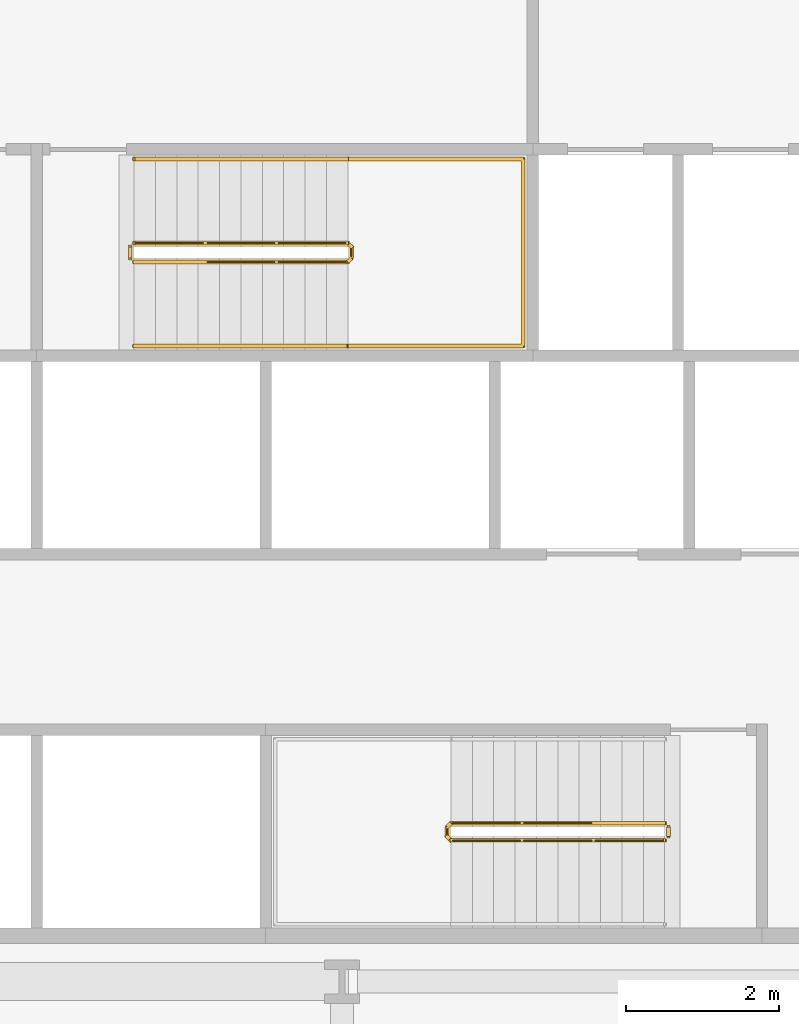
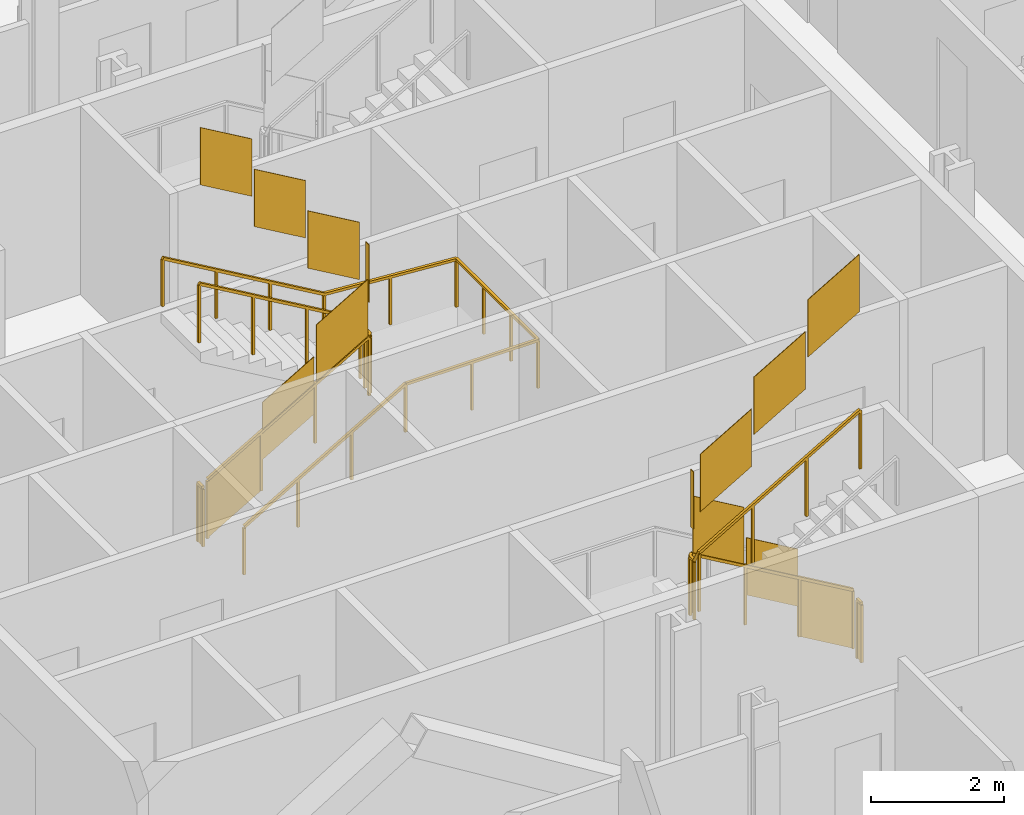
# One storey, part 17 of 20: 5 railings.
"""IFC4 building model written with IfcOpenShell, lengths in metres."""

from ifc_helpers import new_model, si_unit, direction, frame, origin, origin_2d, place, context, subcontext, project, spatial, polyline, rectangle, outline, extrude, material, type_object, element, save


model = new_model("IFC4")

# Units and contexts
model_context = context("Model", 3, precision=1e-05, world=origin(), true_north=direction((0.0, 1.0)))
body_context = subcontext(model_context, "Body", "Model", "MODEL_VIEW")
ifc_project = project(units=[si_unit("LENGTHUNIT", "METRE"), si_unit("AREAUNIT", "SQUARE_METRE"), si_unit("VOLUMEUNIT", "CUBIC_METRE"), si_unit("PLANEANGLEUNIT", "RADIAN"), si_unit("MASSUNIT", "GRAM", prefix="KILO")], contexts=[model_context])

# Site, building, storey
site_placement = place(None, origin())
site = spatial("IfcSite", under=ifc_project, at=site_placement, CompositionType="ELEMENT")
building_placement = place(site_placement, origin())
building = spatial("IfcBuilding", under=site, at=building_placement, Name="Cairn Pilgrim Tower", CompositionType="ELEMENT")
storey_placement = place(building_placement, frame((0.0, 0.0, 61.800048828125)))
storey = spatial("IfcBuildingStorey", under=building, at=storey_placement, Name="L13", CompositionType="ELEMENT", Elevation=61.800048828125)

# Railings
ifc_material = material(Name="Painted steel", Category="steel")
railing_type_1 = type_object("IfcRailingType", Name="STAIR GUARD 1100", PredefinedType="GUARDRAIL", material=ifc_material)
railing_1_placement = place(storey_placement, frame((11.425048828125, -3.925048828125, 0.16357421875)))
element("IfcRailing", 1, at=railing_1_placement, inside=storey, type_object=railing_type_1, Name="L13 ST-A stair guard 1", PredefinedType="GUARDRAIL", context=body_context, shape_type="SweptSolid", body=[
    extrude(rectangle(XDim=0.048095703125, YDim=0.048095703125, at=origin_2d()), frame((0.0, 0.0, 1.076171875), z_axis=(-0.863360870873, 0.0, 0.504586966384), x_axis=(0.0, -1.0, 0.0)), (0.0, 0.0, 1.0), 3.2431640625),
    extrude(rectangle(XDim=0.048095703125, YDim=0.048095703125, at=origin_2d()), frame((-2.800048828125, 0.0, 2.71240234375), z_axis=(-0.707106781187, -0.707106781187, 0.0), x_axis=(0.707106781187, -0.707106781187, 0.0)), (0.0, 0.0, 1.0), 0.07080078125),
    extrude(rectangle(XDim=0.048095703125, YDim=0.048095703125, at=origin_2d()), frame((-2.85009765625, -0.050048828125, 2.71240234375), z_axis=(0.0, -1.0, 0.0), x_axis=(1.0, 0.0, 0.0)), (0.0, 0.0, 1.0), 0.125),
    extrude(rectangle(XDim=0.048095703125, YDim=0.048095703125, at=origin_2d()), frame((-2.85009765625, -0.175048828125, 2.71240234375), z_axis=(0.280916556609, -0.279546231943, 0.91811752648), x_axis=(0.705375805398, 0.708833529934, 0.0)), (0.0, 0.0, 1.0), 0.17822265625),
    extrude(rectangle(XDim=0.048095703125, YDim=0.048095703125, at=origin_2d()), frame((-2.800048828125, -0.224853515625, 2.8759765625), z_axis=(0.863393664356, 0.0, 0.504530851732), x_axis=(0.0, 1.0, 0.0)), (0.0, 0.0, 1.0), 3.2431640625),
    extrude(rectangle(XDim=0.0419921875, YDim=0.0419921875, at=origin_2d()), origin(), (0.0, 0.0, 1.0), 1.052001953125),
    extrude(rectangle(XDim=0.0419921875, YDim=0.0419921875, at=origin_2d()), frame((-0.933349609375, 0.0, 0.54541015625)), (0.0, 0.0, 1.0), 1.052001953125),
    extrude(rectangle(XDim=0.0419921875, YDim=0.0419921875, at=origin_2d()), frame((-1.86669921875, 0.0, 1.091064453125)), (0.0, 0.0, 1.0), 1.052001953125),
    extrude(rectangle(XDim=0.0419921875, YDim=0.0419921875, at=origin_2d()), frame((-2.800048828125, 0.0, 1.636474609375)), (0.0, 0.0, 1.0), 1.052001953125),
    extrude(rectangle(XDim=0.0419921875, YDim=0.0419921875, at=origin_2d()), frame((-2.85009765625, -0.050048828125, 1.636474609375)), (0.0, 0.0, 1.0), 1.052001953125),
    extrude(rectangle(XDim=0.0419921875, YDim=0.0419921875, at=origin_2d()), frame((-2.85009765625, -0.175048828125, 1.636474609375)), (0.0, 0.0, 1.0), 1.052001953125),
    extrude(rectangle(XDim=0.0419921875, YDim=0.0419921875, at=origin_2d()), frame((-2.800048828125, -0.224853515625, 1.800048828125)), (0.0, 0.0, 1.0), 1.052001953125),
    extrude(rectangle(XDim=0.0419921875, YDim=0.0419921875, at=origin_2d()), frame((-1.86669921875, -0.224853515625, 2.345458984375)), (0.0, 0.0, 1.0), 1.052001953125),
    extrude(rectangle(XDim=0.0419921875, YDim=0.0419921875, at=origin_2d()), frame((-0.933349609375, -0.224853515625, 2.890869140625)), (0.0, 0.0, 1.0), 1.052001953125),
    extrude(rectangle(XDim=0.0419921875, YDim=0.0419921875, at=origin_2d()), frame((0.0, -0.224853515625, 3.436279296875)), (0.0, 0.0, 1.0), 1.052001953125),
    extrude(outline(polyline([(0.02099609375, 0.01220703125), (0.912353515625, 0.533203125), (0.912353515625, 1.585205078125), (0.02099609375, 1.064208984375), (0.02099609375, 0.01220703125)])), frame((0.0, -0.005859375, 0.0), z_axis=(0.0, 1.0, 0.0), x_axis=(-1.0, 0.0, 0.0)), (0.0, 0.0, 1.0), 0.011962890625),
    extrude(outline(polyline([(0.02099609375, 0.557861328125), (0.912353515625, 1.07861328125), (0.912353515625, 2.130615234375), (0.02099609375, 1.60986328125), (0.02099609375, 0.557861328125)])), frame((-0.933349609375, -0.005859375, 0.54541015625), z_axis=(0.0, 1.0, 0.0), x_axis=(-1.0, 0.0, 0.0)), (0.0, 0.0, 1.0), 0.011962890625),
    extrude(outline(polyline([(0.02099609375, 1.103271484375), (0.912353515625, 1.624267578125), (0.912353515625, 2.67626953125), (0.02099609375, 2.1552734375), (0.02099609375, 1.103271484375)])), frame((-1.86669921875, -0.005859375, 1.091064453125), z_axis=(0.0, 1.0, 0.0), x_axis=(-1.0, 0.0, 0.0)), (0.0, 0.0, 1.0), 0.011962890625),
    extrude(outline(polyline([(0.02099609375, 1.636474609375), (0.10400390625, 1.636474609375), (0.10400390625, 2.6884765625), (0.02099609375, 2.6884765625), (0.02099609375, 1.636474609375)])), frame((-2.84423828125, -0.050048828125, 1.636474609375), z_axis=(-1.0, 0.0, 0.0), x_axis=(0.0, -1.0, 0.0)), (0.0, 0.0, 1.0), 0.011962890625),
    extrude(outline(polyline([(0.02099609375, 1.812255859375), (0.912353515625, 2.333251953125), (0.912353515625, 3.38525390625), (0.02099609375, 2.8642578125), (0.02099609375, 1.812255859375)])), frame((-2.800048828125, -0.21875, 1.800048828125), z_axis=(0.0, -1.0, 0.0), x_axis=(1.0, 0.0, 0.0)), (0.0, 0.0, 1.0), 0.011962890625),
    extrude(outline(polyline([(0.02099609375, 2.357666015625), (0.912353515625, 2.878662109375), (0.912353515625, 3.9306640625), (0.02099609375, 3.40966796875), (0.02099609375, 2.357666015625)])), frame((-1.86669921875, -0.21875, 2.345458984375), z_axis=(0.0, -1.0, 0.0), x_axis=(1.0, 0.0, 0.0)), (0.0, 0.0, 1.0), 0.011962890625),
    extrude(outline(polyline([(0.02099609375, 2.903076171875), (0.912353515625, 3.424072265625), (0.912353515625, 4.47607421875), (0.02099609375, 3.955078125), (0.02099609375, 2.903076171875)])), frame((-0.933349609375, -0.21875, 2.890869140625), z_axis=(0.0, -1.0, 0.0), x_axis=(1.0, 0.0, 0.0)), (0.0, 0.0, 1.0), 0.011962890625),
])
railing_2_placement = place(storey_placement, frame((11.47509765625, -3.97509765625, 0.0)))
element("IfcRailing", 2, at=railing_2_placement, inside=storey, type_object=railing_type_1, Name="L13 ST-A stair guard 2", PredefinedType="GUARDRAIL", context=body_context, shape_type="SweptSolid", body=[
    extrude(rectangle(XDim=0.048095703125, YDim=0.048095703125, at=origin_2d()), frame((0.0, 0.0, 1.076171875), z_axis=(0.0, -1.0, 0.0), x_axis=(1.0, 0.0, 0.0)), (0.0, 0.0, 1.0), 0.125),
    extrude(rectangle(XDim=0.0419921875, YDim=0.0419921875, at=origin_2d()), origin(), (0.0, 0.0, 1.0), 1.052001953125),
    extrude(rectangle(XDim=0.0419921875, YDim=0.0419921875, at=origin_2d()), frame((0.0, -0.125, 0.0)), (0.0, 0.0, 1.0), 1.052001953125),
    extrude(outline(polyline([(0.02099609375, 0.0), (0.10400390625, 0.0), (0.10400390625, 1.052001953125), (0.02099609375, 1.052001953125), (0.02099609375, 0.0)])), frame((0.005859375, 0.0, 0.0), z_axis=(-1.0, 0.0, 0.0), x_axis=(0.0, -1.0, 0.0)), (0.0, 0.0, 1.0), 0.011962890625),
])
railing_3_placement = place(storey_placement, frame((4.47509765625, 3.425048828125, 0.16357421875)))
element("IfcRailing", 3, at=railing_3_placement, inside=storey, type_object=railing_type_1, Name="L13 ST-B stair guard 1", PredefinedType="GUARDRAIL", context=body_context, shape_type="SweptSolid", body=[
    extrude(rectangle(XDim=0.048095703125, YDim=0.048095703125, at=origin_2d()), frame((0.0, 0.0, 1.076171875), z_axis=(0.863341702679, 0.0, 0.504619762213), x_axis=(0.0, 1.0, 0.0)), (0.0, 0.0, 1.0), 3.242919921875),
    extrude(rectangle(XDim=0.048095703125, YDim=0.048095703125, at=origin_2d()), frame((2.7998046875, 0.0, 2.71240234375), z_axis=(0.707106781187, 0.707106781187, 0.0), x_axis=(-0.707106781187, 0.707106781187, 0.0)), (0.0, 0.0, 1.0), 0.07080078125),
    extrude(rectangle(XDim=0.048095703125, YDim=0.048095703125, at=origin_2d()), frame((2.849853515625, 0.050048828125, 2.71240234375), z_axis=(0.0, 1.0, 0.0), x_axis=(-1.0, 0.0, 0.0)), (0.0, 0.0, 1.0), 0.14990234375),
    extrude(rectangle(XDim=0.048095703125, YDim=0.048095703125, at=origin_2d()), frame((2.849853515625, 0.199951171875, 2.71240234375), z_axis=(-0.280808744504, 0.280808744504, 0.917765164963), x_axis=(-0.707106781187, -0.707106781187, 0.0)), (0.0, 0.0, 1.0), 0.17822265625),
    extrude(rectangle(XDim=0.048095703125, YDim=0.048095703125, at=origin_2d()), frame((2.7998046875, 0.25, 2.8759765625), z_axis=(-0.863374499697, 0.0, 0.504563646405), x_axis=(0.0, -1.0, 0.0)), (0.0, 0.0, 1.0), 3.242919921875),
    extrude(rectangle(XDim=0.0419921875, YDim=0.0419921875, at=origin_2d()), origin(), (0.0, 0.0, 1.0), 1.052001953125),
    extrude(rectangle(XDim=0.0419921875, YDim=0.0419921875, at=origin_2d()), frame((0.933349609375, 0.0, 0.54541015625)), (0.0, 0.0, 1.0), 1.052001953125),
    extrude(rectangle(XDim=0.0419921875, YDim=0.0419921875, at=origin_2d()), frame((1.866455078125, 0.0, 1.091064453125)), (0.0, 0.0, 1.0), 1.052001953125),
    extrude(rectangle(XDim=0.0419921875, YDim=0.0419921875, at=origin_2d()), frame((2.7998046875, 0.0, 1.636474609375)), (0.0, 0.0, 1.0), 1.052001953125),
    extrude(rectangle(XDim=0.0419921875, YDim=0.0419921875, at=origin_2d()), frame((2.849853515625, 0.050048828125, 1.636474609375)), (0.0, 0.0, 1.0), 1.052001953125),
    extrude(rectangle(XDim=0.0419921875, YDim=0.0419921875, at=origin_2d()), frame((2.849853515625, 0.199951171875, 1.636474609375)), (0.0, 0.0, 1.0), 1.052001953125),
    extrude(rectangle(XDim=0.0419921875, YDim=0.0419921875, at=origin_2d()), frame((2.7998046875, 0.25, 1.800048828125)), (0.0, 0.0, 1.0), 1.052001953125),
    extrude(rectangle(XDim=0.0419921875, YDim=0.0419921875, at=origin_2d()), frame((1.866455078125, 0.25, 2.345458984375)), (0.0, 0.0, 1.0), 1.052001953125),
    extrude(rectangle(XDim=0.0419921875, YDim=0.0419921875, at=origin_2d()), frame((0.933349609375, 0.25, 2.890869140625)), (0.0, 0.0, 1.0), 1.052001953125),
    extrude(rectangle(XDim=0.0419921875, YDim=0.0419921875, at=origin_2d()), frame((0.0, 0.25, 3.436279296875)), (0.0, 0.0, 1.0), 1.052001953125),
    extrude(outline(polyline([(0.02099609375, 0.01220703125), (0.912353515625, 0.533203125), (0.912353515625, 1.585205078125), (0.02099609375, 1.064208984375), (0.02099609375, 0.01220703125)])), frame((0.0, 0.005859375, 0.0), z_axis=(0.0, -1.0, 0.0), x_axis=(1.0, 0.0, 0.0)), (0.0, 0.0, 1.0), 0.011962890625),
    extrude(outline(polyline([(0.02099609375, 0.557861328125), (0.912353515625, 1.07861328125), (0.912353515625, 2.130615234375), (0.02099609375, 1.60986328125), (0.02099609375, 0.557861328125)])), frame((0.933349609375, 0.005859375, 0.54541015625), z_axis=(0.0, -1.0, 0.0), x_axis=(1.0, 0.0, 0.0)), (0.0, 0.0, 1.0), 0.011962890625),
    extrude(outline(polyline([(0.02099609375, 1.103271484375), (0.912353515625, 1.624267578125), (0.912353515625, 2.67626953125), (0.02099609375, 2.1552734375), (0.02099609375, 1.103271484375)])), frame((1.866455078125, 0.005859375, 1.091064453125), z_axis=(0.0, -1.0, 0.0), x_axis=(1.0, 0.0, 0.0)), (0.0, 0.0, 1.0), 0.011962890625),
    extrude(outline(polyline([(0.02099609375, 1.636474609375), (0.12890625, 1.636474609375), (0.12890625, 2.6884765625), (0.02099609375, 2.6884765625), (0.02099609375, 1.636474609375)])), frame((2.84375, 0.050048828125, 1.636474609375), z_axis=(1.0, 0.0, 0.0), x_axis=(0.0, 1.0, 0.0)), (0.0, 0.0, 1.0), 0.011962890625),
    extrude(outline(polyline([(0.02099609375, 1.812255859375), (0.912353515625, 2.333251953125), (0.912353515625, 3.38525390625), (0.02099609375, 2.8642578125), (0.02099609375, 1.812255859375)])), frame((2.7998046875, 0.244140625, 1.800048828125), z_axis=(0.0, 1.0, 0.0), x_axis=(-1.0, 0.0, 0.0)), (0.0, 0.0, 1.0), 0.011962890625),
    extrude(outline(polyline([(0.02099609375, 2.357666015625), (0.912353515625, 2.878662109375), (0.912353515625, 3.9306640625), (0.02099609375, 3.40966796875), (0.02099609375, 2.357666015625)])), frame((1.866455078125, 0.244140625, 2.345458984375), z_axis=(0.0, 1.0, 0.0), x_axis=(-1.0, 0.0, 0.0)), (0.0, 0.0, 1.0), 0.011962890625),
    extrude(outline(polyline([(0.02099609375, 2.903076171875), (0.912353515625, 3.424072265625), (0.912353515625, 4.47607421875), (0.02099609375, 3.955078125), (0.02099609375, 2.903076171875)])), frame((0.933349609375, 0.244140625, 2.890869140625), z_axis=(0.0, 1.0, 0.0), x_axis=(-1.0, 0.0, 0.0)), (0.0, 0.0, 1.0), 0.011962890625),
])
railing_4_placement = place(storey_placement, frame((4.425048828125, 3.47509765625, 0.0)))
element("IfcRailing", 4, at=railing_4_placement, inside=storey, type_object=railing_type_1, Name="L13 ST-B stair guard 2", PredefinedType="GUARDRAIL", context=body_context, shape_type="SweptSolid", body=[
    extrude(rectangle(XDim=0.048095703125, YDim=0.048095703125, at=origin_2d()), frame((0.0, 0.0, 1.076171875), z_axis=(0.0, 1.0, 0.0), x_axis=(-1.0, 0.0, 0.0)), (0.0, 0.0, 1.0), 0.14990234375),
    extrude(rectangle(XDim=0.0419921875, YDim=0.0419921875, at=origin_2d()), origin(), (0.0, 0.0, 1.0), 1.052001953125),
    extrude(rectangle(XDim=0.0419921875, YDim=0.0419921875, at=origin_2d()), frame((0.0, 0.14990234375, 0.0)), (0.0, 0.0, 1.0), 1.052001953125),
    extrude(outline(polyline([(0.02099609375, 0.0), (0.12890625, 0.0), (0.12890625, 1.052001953125), (0.02099609375, 1.052001953125), (0.02099609375, 0.0)])), frame((-0.005859375, 0.0, 0.0), z_axis=(1.0, 0.0, 0.0), x_axis=(0.0, 1.0, 0.0)), (0.0, 0.0, 1.0), 0.011962890625),
])
railing_type_2 = type_object("IfcRailingType", Name="STAIR HANDRAIL 900", PredefinedType="HANDRAIL", material=ifc_material)
railing_5_placement = place(storey_placement, frame((4.47509765625, 2.324951171875, 0.16357421875)))
element("IfcRailing", 5, at=railing_5_placement, inside=storey, type_object=railing_type_2, Name="L13 ST-B stair handrail 1", PredefinedType="HANDRAIL", context=body_context, shape_type="SweptSolid", body=[
    extrude(rectangle(XDim=0.048095703125, YDim=0.048095703125, at=origin_2d()), frame((0.0, 0.0, 0.8759765625), z_axis=(0.863341702679, 0.0, 0.504619762213), x_axis=(0.0, 1.0, 0.0)), (0.0, 0.0, 1.0), 3.242919921875),
    extrude(rectangle(XDim=0.048095703125, YDim=0.048095703125, at=origin_2d()), frame((2.7998046875, 0.0, 2.51220703125), z_axis=(1.0, 0.0, 0.0), x_axis=(0.0, 1.0, 0.0)), (0.0, 0.0, 1.0), 2.300048828125),
    extrude(rectangle(XDim=0.048095703125, YDim=0.048095703125, at=origin_2d()), frame((5.099853515625, 0.0, 2.51220703125), z_axis=(0.0, 1.0, 0.0), x_axis=(-1.0, 0.0, 0.0)), (0.0, 0.0, 1.0), 2.449951171875),
    extrude(rectangle(XDim=0.048095703125, YDim=0.048095703125, at=origin_2d()), frame((5.099853515625, 2.449951171875, 2.51220703125), z_axis=(-0.997480687736, 0.0, 0.070938548008), x_axis=(0.0, -1.0, 0.0)), (0.0, 0.0, 1.0), 2.305908203125),
    extrude(rectangle(XDim=0.048095703125, YDim=0.048095703125, at=origin_2d()), frame((2.7998046875, 2.449951171875, 2.67578125), z_axis=(-0.863374499697, 0.0, 0.504563646405), x_axis=(0.0, -1.0, 0.0)), (0.0, 0.0, 1.0), 3.242919921875),
    extrude(rectangle(XDim=0.0419921875, YDim=0.0419921875, at=origin_2d()), origin(), (0.0, 0.0, 1.0), 0.851806640625),
    extrude(rectangle(XDim=0.0419921875, YDim=0.0419921875, at=origin_2d()), frame((0.933349609375, 0.0, 0.54541015625)), (0.0, 0.0, 1.0), 0.851806640625),
    extrude(rectangle(XDim=0.0419921875, YDim=0.0419921875, at=origin_2d()), frame((1.866455078125, 0.0, 1.091064453125)), (0.0, 0.0, 1.0), 0.851806640625),
    extrude(rectangle(XDim=0.0419921875, YDim=0.0419921875, at=origin_2d()), frame((2.7998046875, 0.0, 1.636474609375)), (0.0, 0.0, 1.0), 0.851806640625),
    extrude(rectangle(XDim=0.0419921875, YDim=0.0419921875, at=origin_2d()), frame((3.94970703125, 0.0, 1.636474609375)), (0.0, 0.0, 1.0), 0.851806640625),
    extrude(rectangle(XDim=0.0419921875, YDim=0.0419921875, at=origin_2d()), frame((5.099853515625, 0.0, 1.636474609375)), (0.0, 0.0, 1.0), 0.851806640625),
    extrude(rectangle(XDim=0.0419921875, YDim=0.0419921875, at=origin_2d()), frame((5.099853515625, 0.816650390625, 1.636474609375)), (0.0, 0.0, 1.0), 0.851806640625),
    extrude(rectangle(XDim=0.0419921875, YDim=0.0419921875, at=origin_2d()), frame((5.099853515625, 1.63330078125, 1.636474609375)), (0.0, 0.0, 1.0), 0.851806640625),
    extrude(rectangle(XDim=0.0419921875, YDim=0.0419921875, at=origin_2d()), frame((5.099853515625, 2.449951171875, 1.636474609375)), (0.0, 0.0, 1.0), 0.851806640625),
    extrude(rectangle(XDim=0.0419921875, YDim=0.0419921875, at=origin_2d()), frame((3.94970703125, 2.449951171875, 1.71826171875)), (0.0, 0.0, 1.0), 0.851806640625),
    extrude(rectangle(XDim=0.0419921875, YDim=0.0419921875, at=origin_2d()), frame((2.7998046875, 2.449951171875, 1.800048828125)), (0.0, 0.0, 1.0), 0.851806640625),
    extrude(rectangle(XDim=0.0419921875, YDim=0.0419921875, at=origin_2d()), frame((1.866455078125, 2.449951171875, 2.345458984375)), (0.0, 0.0, 1.0), 0.851806640625),
    extrude(rectangle(XDim=0.0419921875, YDim=0.0419921875, at=origin_2d()), frame((0.933349609375, 2.449951171875, 2.890869140625)), (0.0, 0.0, 1.0), 0.851806640625),
    extrude(rectangle(XDim=0.0419921875, YDim=0.0419921875, at=origin_2d()), frame((0.0, 2.449951171875, 3.436279296875)), (0.0, 0.0, 1.0), 0.851806640625),
])

save(model, "model.ifc")
